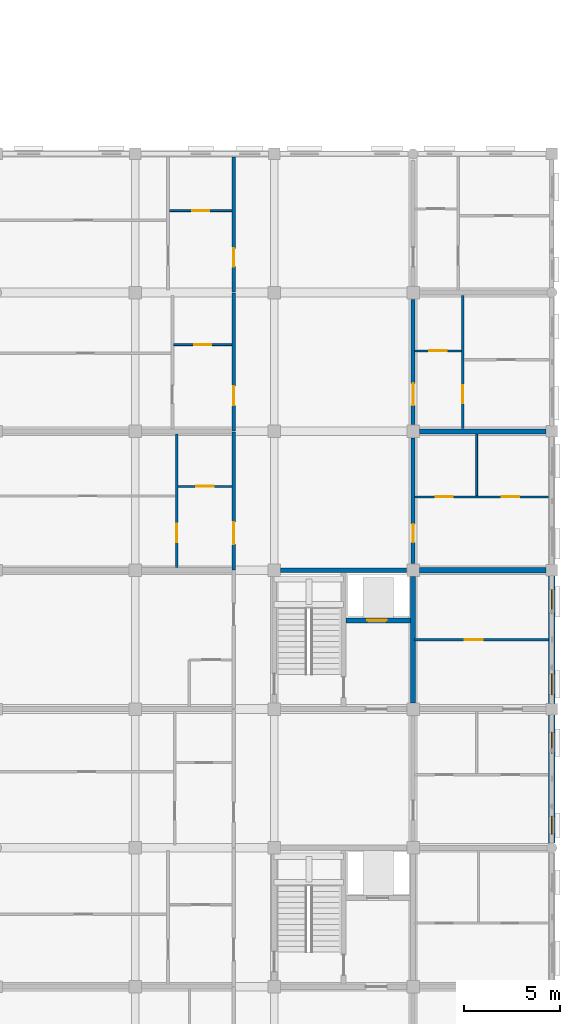
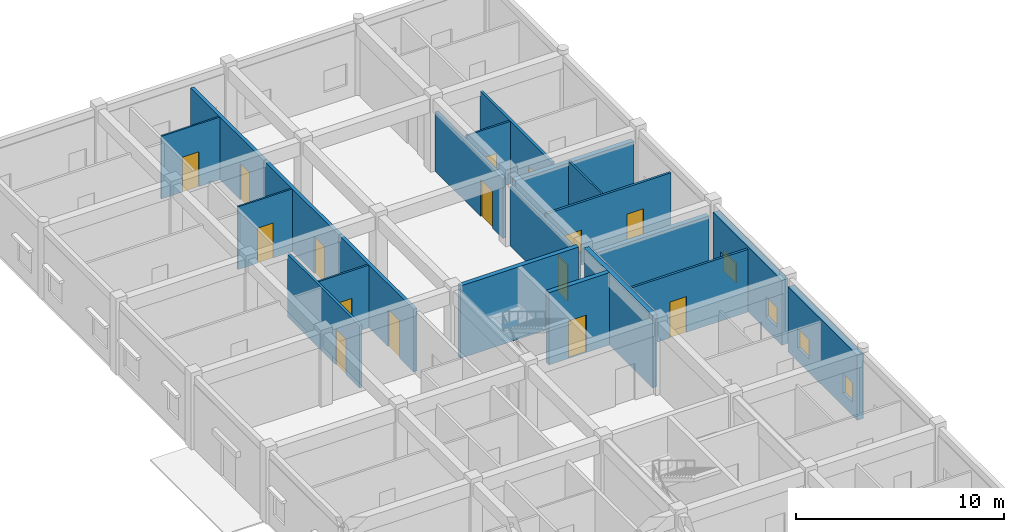
# One storey, part 113 of 138: 21 walls, 15 doors, 4 windows, 19 openings.
"""IFC4 building model written with IfcOpenShell, lengths in metres."""

from ifc_helpers import new_model, si_unit, direction, frame, frame_2d, origin, place, context, subcontext, project, spatial, rectangle, extrude, material, layer, layer_set, type_object, element, fill, save


model = new_model("IFC4")

# Units and contexts
model_context = context("Model", 3, precision=1e-05, world=origin(), true_north=direction((0.0, 1.0)))
body_context = subcontext(model_context, "Body", "Model", "MODEL_VIEW")
ifc_project = project(units=[si_unit("LENGTHUNIT", "METRE"), si_unit("AREAUNIT", "SQUARE_METRE"), si_unit("VOLUMEUNIT", "CUBIC_METRE"), si_unit("PLANEANGLEUNIT", "RADIAN"), si_unit("MASSUNIT", "GRAM", prefix="KILO"), si_unit("THERMODYNAMICTEMPERATUREUNIT", "KELVIN"), si_unit("POWERUNIT", "WATT")], contexts=[model_context])

# Site, building, storey
site_placement = place(None, origin())
site = spatial("IfcSite", under=ifc_project, at=site_placement, CompositionType="ELEMENT")
building_placement = place(site_placement, origin())
building = spatial("IfcBuilding", under=site, at=building_placement, Name="Tavuni Mirador Residences", CompositionType="ELEMENT")
storey_placement = place(building_placement, origin())
storey = spatial("IfcBuildingStorey", under=building, at=storey_placement, Name="L00", CompositionType="ELEMENT", Elevation=0.0)

# Walls
ifc_material_1 = material(Name="Precast concrete C40/50", Category="concrete")
ifc_layer_1 = layer(ifc_material_1, 0.25, Name="Precast concrete C40/50", Category="concrete")
ifc_layer_set_1 = layer_set([ifc_layer_1], Name="Precast concrete C40/50")
wall_type_1 = type_object("IfcWallType", Name="WT-COR250", PredefinedType="SHEAR", material=ifc_layer_set_1)
wall_1_placement = place(storey_placement, frame((104.72509765625, 115.199951171875, 0.0), z_axis=(0.0, 0.0, 1.0), x_axis=(1.0, 0.0, 0.0)))
element("IfcWall", 1, at=wall_1_placement, inside=storey, type_object=wall_type_1, Name="CWALL-C8-L00-N", PredefinedType="SHEAR", context=body_context, shape_type="SweptSolid", body=[
    extrude(rectangle(XDim=6.5498046875, YDim=0.25, at=frame_2d((3.27490234375, 0.0))), origin(), (0.0, 0.0, 1.0), 4.239990234375),
])
wall_2_placement = place(storey_placement, frame((111.60009765625, 108.324951171875, 0.0), z_axis=(0.0, 0.0, 1.0), x_axis=(0.0, 1.0, 0.0)))
element("IfcWall", 2, at=wall_2_placement, inside=storey, type_object=wall_type_1, Name="CWALL-C8-L00-E", PredefinedType="SHEAR", context=body_context, shape_type="SweptSolid", body=[
    extrude(rectangle(XDim=6.550048828125, YDim=0.25, at=frame_2d((3.27490234375, 0.0))), origin(), (0.0, 0.0, 1.0), 4.239990234375),
])

# Wall, opening, door
wall_3_placement = place(storey_placement, frame((108.125, 112.60009765625, 0.0), z_axis=(0.0, 0.0, 1.0), x_axis=(1.0, 0.0, 0.0)))
wall_3 = element("IfcWall", 3, at=wall_3_placement, inside=storey, type_object=wall_type_1, Name="CWALL-C8-L00-SHF", PredefinedType="SHEAR", context=body_context, shape_type="SweptSolid", body=[
    extrude(rectangle(XDim=3.35009765625, YDim=0.25, at=frame_2d((1.675048828125, 0.0))), origin(), (0.0, 0.0, 1.0), 4.239990234375),
])
opening_1_placement = place(wall_3_placement, frame((1.10009765625, 0.0, 0.0)))
opening_1 = element("IfcOpeningElement", 4, at=opening_1_placement, cuts=wall_3, Name="Opening LD-02", PredefinedType="OPENING", context=body_context, shape_type="SweptSolid", body=[
    extrude(rectangle(XDim=1.0, YDim=2.199951171875, at=frame_2d((0.5, 1.10009765625))), frame((0.0, 0.135009765625, 0.0), z_axis=(0.0, -1.0, 0.0), x_axis=(1.0, 0.0, 0.0)), (0.0, 0.0, 1.0), 0.27001953125),
])
ifc_material_2 = material(Name="Structural steel S355", Category="steel")
door_type_1 = type_object("IfcDoorType", Name="DT-LD-PAX", OperationType="SLIDING_TO_LEFT", PredefinedType="DOOR", material=ifc_material_2)
door_1_placement = place(opening_1_placement, origin())
door_1 = element("IfcDoor", 5, at=door_1_placement, inside=storey, type_object=door_type_1, Name="Lift landing door PL-D1 L00", OperationType="SLIDING_TO_LEFT", OverallHeight=2.199951171875, OverallWidth=1.0, PredefinedType="DOOR", context=body_context, shape_type="SweptSolid", body=[
    extrude(rectangle(XDim=1.0, YDim=2.199951171875, at=frame_2d((0.5, 1.10009765625))), frame((0.0, 0.02490234375, 0.0), z_axis=(0.0, -1.0, 0.0), x_axis=(1.0, 0.0, 0.0)), (0.0, 0.0, 1.0), 0.050048828125),
])
fill(opening_1, door_1)

ifc_layer_2 = layer(ifc_material_1, 0.18505859375, Name="Precast concrete C40/50", Category="concrete")
ifc_layer_set_2 = layer_set([ifc_layer_2], Name="Precast concrete C40/50")
wall_type_2 = type_object("IfcWallType", Name="WT-CORR185", PredefinedType="PARTITIONING", material=ifc_layer_set_2)
wall_4_placement = place(storey_placement, frame((102.300048828125, 115.219970703125, 0.0), z_axis=(0.0, 0.0, 1.0), x_axis=(0.0, 1.0, 0.0)))
wall_4 = element("IfcWall", 6, at=wall_4_placement, inside=storey, type_object=wall_type_2, Name="CORW-BLK-D-L00-0-04", PredefinedType="PARTITIONING", context=body_context, shape_type="SweptSolid", body=[
    extrude(rectangle(XDim=7.159912109375, YDim=0.18505859375, at=frame_2d((3.580078125, 0.0))), origin(), (0.0, 0.0, 1.0), 3.675048828125),
])
opening_2_placement = place(wall_4_placement, frame((1.330078125, 0.0, 0.0)))
opening_2 = element("IfcOpeningElement", 7, at=opening_2_placement, cuts=wall_4, Name="Opening D-20", PredefinedType="OPENING", context=body_context, shape_type="SweptSolid", body=[
    extrude(rectangle(XDim=1.139892578125, YDim=2.179931640625, at=frame_2d((0.56982421875, 1.08984375))), frame((0.0, 0.1025390625, 0.0), z_axis=(0.0, -1.0, 0.0), x_axis=(1.0, 0.0, 0.0)), (0.0, 0.0, 1.0), 0.205078125),
])
ifc_material_3 = material(Name="Solid core iroko timber", Category="wood")
door_type_2 = type_object("IfcDoorType", Name="DT-FD60-1140", OperationType="NOTDEFINED", PredefinedType="DOOR", material=ifc_material_3)
door_2_placement = place(opening_2_placement, origin())
door_2 = element("IfcDoor", 8, at=door_2_placement, inside=storey, type_object=door_type_2, Name="DR-2813", OperationType="SINGLE_SWING_RIGHT", OverallHeight=2.179931640625, OverallWidth=1.139892578125, PredefinedType="DOOR", context=body_context, shape_type="SweptSolid", body=[
    extrude(rectangle(XDim=1.139892578125, YDim=2.179931640625, at=frame_2d((0.56982421875, 1.08984375))), frame((0.0, 0.02490234375, 0.0), z_axis=(0.0, -1.0, 0.0), x_axis=(1.0, 0.0, 0.0)), (0.0, 0.0, 1.0), 0.050048828125),
])
fill(opening_2, door_2)

wall_5_placement = place(storey_placement, frame((102.300048828125, 122.419921875, 0.0), z_axis=(0.0, 0.0, 1.0), x_axis=(0.0, 1.0, 0.0)))
wall_5 = element("IfcWall", 9, at=wall_5_placement, inside=storey, type_object=wall_type_2, Name="CORW-BLK-D-L00-0-05", PredefinedType="PARTITIONING", context=body_context, shape_type="SweptSolid", body=[
    extrude(rectangle(XDim=7.16015625, YDim=0.18505859375, at=frame_2d((3.580078125, 0.0))), origin(), (0.0, 0.0, 1.0), 3.675048828125),
])
opening_3_placement = place(wall_5_placement, frame((1.330078125, 0.0, 0.0)))
opening_3 = element("IfcOpeningElement", 10, at=opening_3_placement, cuts=wall_5, Name="Opening D-03", PredefinedType="OPENING", context=body_context, shape_type="SweptSolid", body=[
    extrude(rectangle(XDim=1.0, YDim=2.14990234375, at=frame_2d((0.5, 1.074951171875))), frame((0.0, 0.1025390625, 0.0), z_axis=(0.0, -1.0, 0.0), x_axis=(1.0, 0.0, 0.0)), (0.0, 0.0, 1.0), 0.205078125),
])
door_type_3 = type_object("IfcDoorType", Name="DT-FD60-1000", OperationType="NOTDEFINED", PredefinedType="DOOR", material=ifc_material_3)
door_3_placement = place(opening_3_placement, origin())
door_3 = element("IfcDoor", 11, at=door_3_placement, inside=storey, type_object=door_type_3, Name="DR-2814", OperationType="SINGLE_SWING_LEFT", OverallHeight=2.14990234375, OverallWidth=1.0, PredefinedType="DOOR", context=body_context, shape_type="SweptSolid", body=[
    extrude(rectangle(XDim=1.0, YDim=2.14990234375, at=frame_2d((0.5, 1.074951171875))), frame((0.0, 0.02490234375, 0.0), z_axis=(0.0, -1.0, 0.0), x_axis=(1.0, 0.0, 0.0)), (0.0, 0.0, 1.0), 0.050048828125),
])
fill(opening_3, door_3)

wall_6_placement = place(storey_placement, frame((102.300048828125, 129.6201171875, 0.0), z_axis=(0.0, 0.0, 1.0), x_axis=(0.0, 1.0, 0.0)))
wall_6 = element("IfcWall", 12, at=wall_6_placement, inside=storey, type_object=wall_type_2, Name="CORW-BLK-D-L00-0-06", PredefinedType="PARTITIONING", context=body_context, shape_type="SweptSolid", body=[
    extrude(rectangle(XDim=7.0048828125, YDim=0.18505859375, at=frame_2d((3.50244140625, 0.0))), origin(), (0.0, 0.0, 1.0), 3.675048828125),
])
opening_4_placement = place(wall_6_placement, frame((1.330078125, 0.0, 0.0)))
opening_4 = element("IfcOpeningElement", 13, at=opening_4_placement, cuts=wall_6, Name="Opening D-19", PredefinedType="OPENING", context=body_context, shape_type="SweptSolid", body=[
    extrude(rectangle(XDim=0.93994140625, YDim=2.1201171875, at=frame_2d((0.469970703125, 1.06005859375))), frame((0.0, 0.1025390625, 0.0), z_axis=(0.0, -1.0, 0.0), x_axis=(1.0, 0.0, 0.0)), (0.0, 0.0, 1.0), 0.205078125),
])
door_type_4 = type_object("IfcDoorType", Name="DT-FD60-940", OperationType="NOTDEFINED", PredefinedType="DOOR", material=ifc_material_3)
door_4_placement = place(opening_4_placement, origin())
door_4 = element("IfcDoor", 14, at=door_4_placement, inside=storey, type_object=door_type_4, Name="DR-2815", OperationType="SINGLE_SWING_RIGHT", OverallHeight=2.1201171875, OverallWidth=0.93994140625, PredefinedType="DOOR", context=body_context, shape_type="SweptSolid", body=[
    extrude(rectangle(XDim=0.93994140625, YDim=2.1201171875, at=frame_2d((0.469970703125, 1.06005859375))), frame((0.0, 0.02490234375, 0.0), z_axis=(0.0, -1.0, 0.0), x_axis=(1.0, 0.0, 0.0)), (0.0, 0.0, 1.0), 0.050048828125),
])
fill(opening_4, door_4)

wall_7_placement = place(storey_placement, frame((111.60009765625, 115.550048828125, 0.0), z_axis=(0.0, 0.0, 1.0), x_axis=(0.0, 1.0, 0.0)))
wall_7 = element("IfcWall", 15, at=wall_7_placement, inside=storey, type_object=wall_type_2, Name="CORW-BLK-D-L00-1-04", PredefinedType="PARTITIONING", context=body_context, shape_type="SweptSolid", body=[
    extrude(rectangle(XDim=6.5, YDim=0.18505859375, at=frame_2d((3.25, 0.0))), origin(), (0.0, 0.0, 1.0), 3.489990234375),
])
opening_5_placement = place(wall_7_placement, frame((1.10009765625, 0.0, 0.0)))
opening_5 = element("IfcOpeningElement", 16, at=opening_5_placement, cuts=wall_7, Name="Opening D-19", PredefinedType="OPENING", context=body_context, shape_type="SweptSolid", body=[
    extrude(rectangle(XDim=0.93994140625, YDim=2.1201171875, at=frame_2d((0.469970703125, 1.06005859375))), frame((0.0, 0.1025390625, 0.0), z_axis=(0.0, -1.0, 0.0), x_axis=(1.0, 0.0, 0.0)), (0.0, 0.0, 1.0), 0.205078125),
])
door_5_placement = place(opening_5_placement, origin())
door_5 = element("IfcDoor", 17, at=door_5_placement, inside=storey, type_object=door_type_4, Name="DR-2818", OperationType="SINGLE_SWING_LEFT", OverallHeight=2.1201171875, OverallWidth=0.93994140625, PredefinedType="DOOR", context=body_context, shape_type="SweptSolid", body=[
    extrude(rectangle(XDim=0.93994140625, YDim=2.1201171875, at=frame_2d((0.469970703125, 1.06005859375))), frame((0.0, 0.02490234375, 0.0), z_axis=(0.0, -1.0, 0.0), x_axis=(1.0, 0.0, 0.0)), (0.0, 0.0, 1.0), 0.050048828125),
])
fill(opening_5, door_5)

wall_8_placement = place(storey_placement, frame((111.60009765625, 122.75, 0.0), z_axis=(0.0, 0.0, 1.0), x_axis=(0.0, 1.0, 0.0)))
wall_8 = element("IfcWall", 18, at=wall_8_placement, inside=storey, type_object=wall_type_2, Name="CORW-BLK-D-L00-1-05", PredefinedType="PARTITIONING", context=body_context, shape_type="SweptSolid", body=[
    extrude(rectangle(XDim=6.5, YDim=0.18505859375, at=frame_2d((3.25, 0.0))), origin(), (0.0, 0.0, 1.0), 3.489990234375),
])
opening_6_placement = place(wall_8_placement, frame((1.0, 0.0, 0.0)))
opening_6 = element("IfcOpeningElement", 19, at=opening_6_placement, cuts=wall_8, Name="Opening D-20", PredefinedType="OPENING", context=body_context, shape_type="SweptSolid", body=[
    extrude(rectangle(XDim=1.139892578125, YDim=2.179931640625, at=frame_2d((0.56982421875, 1.08984375))), frame((0.0, 0.1025390625, 0.0), z_axis=(0.0, -1.0, 0.0), x_axis=(1.0, 0.0, 0.0)), (0.0, 0.0, 1.0), 0.205078125),
])
door_6_placement = place(opening_6_placement, origin())
door_6 = element("IfcDoor", 20, at=door_6_placement, inside=storey, type_object=door_type_2, Name="DR-2819", OperationType="SINGLE_SWING_RIGHT", OverallHeight=2.179931640625, OverallWidth=1.139892578125, PredefinedType="DOOR", context=body_context, shape_type="SweptSolid", body=[
    extrude(rectangle(XDim=1.139892578125, YDim=2.179931640625, at=frame_2d((0.56982421875, 1.08984375))), frame((0.0, 0.02490234375, 0.0), z_axis=(0.0, -1.0, 0.0), x_axis=(1.0, 0.0, 0.0)), (0.0, 0.0, 1.0), 0.050048828125),
])
fill(opening_6, door_6)

# Wall, openings, windows
ifc_material_4 = material(Name="Sgraffito lime-rendered precast concrete C40/50", Category="concrete")
ifc_layer_3 = layer(ifc_material_4, 0.344970703125, Name="Sgraffito lime-rendered precast concrete C40/50", Category="concrete")
ifc_layer_set_3 = layer_set([ifc_layer_3], Name="Sgraffito lime-rendered precast concrete C40/50")
wall_type_3 = type_object("IfcWallType", Name="WT-EXT-PTY345", PredefinedType="SOLIDWALL", material=ifc_layer_set_3)
wall_9_placement = place(storey_placement, frame((118.800048828125, 101.06005859375, 0.0), z_axis=(0.0, 0.0, 1.0), x_axis=(0.0, 1.0, 0.0)))
wall_9 = element("IfcWall", 21, at=wall_9_placement, inside=storey, type_object=wall_type_3, Name="EW-BLK-D-L00-E02", PredefinedType="SOLIDWALL", context=body_context, shape_type="SweptSolid", body=[
    extrude(rectangle(XDim=6.639892578125, YDim=0.344970703125, at=frame_2d((3.31982421875, 0.0))), origin(), (0.0, 0.0, 1.0), 3.81005859375),
])
opening_7_placement = place(wall_9_placement, frame((0.449951171875, 0.0, 0.780029296875)))
opening_7 = element("IfcOpeningElement", 22, at=opening_7_placement, cuts=wall_9, Name="Opening WN-02", PredefinedType="OPENING", context=body_context, shape_type="SweptSolid", body=[
    extrude(rectangle(XDim=0.919921875, YDim=1.14990234375, at=frame_2d((0.4599609375, 0.574951171875))), frame((0.0, 0.1826171875, 0.0), z_axis=(0.0, -1.0, 0.0), x_axis=(1.0, 0.0, 0.0)), (0.0, 0.0, 1.0), 0.364990234375),
])
opening_8_placement = place(wall_9_placement, frame((4.64990234375, 0.0, 0.780029296875)))
opening_8 = element("IfcOpeningElement", 23, at=opening_8_placement, cuts=wall_9, Name="Opening WN-04", PredefinedType="OPENING", context=body_context, shape_type="SweptSolid", body=[
    extrude(rectangle(XDim=1.080078125, YDim=1.14990234375, at=frame_2d((0.5400390625, 0.574951171875))), frame((0.0, 0.1826171875, 0.0), z_axis=(0.0, -1.0, 0.0), x_axis=(1.0, 0.0, 0.0)), (0.0, 0.0, 1.0), 0.364990234375),
])
ifc_material_5 = material(Name="Laminated solar-control glass", Category="glass")
window_type_1 = type_object("IfcWindowType", Name="WNT-02", PartitioningType="SINGLE_PANEL", PredefinedType="WINDOW", material=ifc_material_5)
window_1_placement = place(opening_7_placement, origin())
window_1 = element("IfcWindow", 24, at=window_1_placement, inside=storey, type_object=window_type_1, Name="WIN-1411", OverallHeight=1.14990234375, OverallWidth=0.919921875, PartitioningType="SINGLE_PANEL", PredefinedType="WINDOW", context=body_context, shape_type="SweptSolid", body=[
    extrude(rectangle(XDim=0.919921875, YDim=1.14990234375, at=frame_2d((0.4599609375, 0.574951171875))), frame((0.0, 0.030029296875, 0.0), z_axis=(0.0, -1.0, 0.0), x_axis=(1.0, 0.0, 0.0)), (0.0, 0.0, 1.0), 0.06005859375),
])
fill(opening_7, window_1)
window_type_2 = type_object("IfcWindowType", Name="WNT-04", PartitioningType="SINGLE_PANEL", PredefinedType="WINDOW", material=ifc_material_5)
window_2_placement = place(opening_8_placement, origin())
window_2 = element("IfcWindow", 25, at=window_2_placement, inside=storey, type_object=window_type_2, Name="WIN-1412", OverallHeight=1.14990234375, OverallWidth=1.080078125, PartitioningType="SINGLE_PANEL", PredefinedType="WINDOW", context=body_context, shape_type="SweptSolid", body=[
    extrude(rectangle(XDim=1.080078125, YDim=1.14990234375, at=frame_2d((0.5400390625, 0.574951171875))), frame((0.0, 0.030029296875, 0.0), z_axis=(0.0, -1.0, 0.0), x_axis=(1.0, 0.0, 0.0)), (0.0, 0.0, 1.0), 0.06005859375),
])
fill(opening_8, window_2)

wall_10_placement = place(storey_placement, frame((118.800048828125, 108.300048828125, 0.0), z_axis=(0.0, 0.0, 1.0), x_axis=(0.0, 1.0, 0.0)))
wall_10 = element("IfcWall", 26, at=wall_10_placement, inside=storey, type_object=wall_type_3, Name="EW-BLK-D-L00-E03", PredefinedType="SOLIDWALL", context=body_context, shape_type="SweptSolid", body=[
    extrude(rectangle(XDim=6.599853515625, YDim=0.344970703125, at=frame_2d((3.2998046875, 0.0))), origin(), (0.0, 0.0, 1.0), 3.81005859375),
])
opening_9_placement = place(wall_10_placement, frame((0.449951171875, 0.0, 0.780029296875)))
opening_9 = element("IfcOpeningElement", 27, at=opening_9_placement, cuts=wall_10, Name="Opening WN-04", PredefinedType="OPENING", context=body_context, shape_type="SweptSolid", body=[
    extrude(rectangle(XDim=1.080078125, YDim=1.14990234375, at=frame_2d((0.5400390625, 0.574951171875))), frame((0.0, 0.1826171875, 0.0), z_axis=(0.0, -1.0, 0.0), x_axis=(1.0, 0.0, 0.0)), (0.0, 0.0, 1.0), 0.364990234375),
])
opening_10_placement = place(wall_10_placement, frame((4.64990234375, 0.0, 0.780029296875)))
opening_10 = element("IfcOpeningElement", 28, at=opening_10_placement, cuts=wall_10, Name="Opening WN-06", PredefinedType="OPENING", context=body_context, shape_type="SweptSolid", body=[
    extrude(rectangle(XDim=1.239990234375, YDim=1.14990234375, at=frame_2d((0.6201171875, 0.574951171875))), frame((0.0, 0.1826171875, 0.0), z_axis=(0.0, -1.0, 0.0), x_axis=(1.0, 0.0, 0.0)), (0.0, 0.0, 1.0), 0.364990234375),
])
window_3_placement = place(opening_9_placement, origin())
window_3 = element("IfcWindow", 29, at=window_3_placement, inside=storey, type_object=window_type_2, Name="WIN-1413", OverallHeight=1.14990234375, OverallWidth=1.080078125, PartitioningType="SINGLE_PANEL", PredefinedType="WINDOW", context=body_context, shape_type="SweptSolid", body=[
    extrude(rectangle(XDim=1.080078125, YDim=1.14990234375, at=frame_2d((0.5400390625, 0.574951171875))), frame((0.0, 0.030029296875, 0.0), z_axis=(0.0, -1.0, 0.0), x_axis=(1.0, 0.0, 0.0)), (0.0, 0.0, 1.0), 0.06005859375),
])
fill(opening_9, window_3)
window_type_3 = type_object("IfcWindowType", Name="WNT-06", PartitioningType="SINGLE_PANEL", PredefinedType="WINDOW", material=ifc_material_5)
window_4_placement = place(opening_10_placement, origin())
window_4 = element("IfcWindow", 30, at=window_4_placement, inside=storey, type_object=window_type_3, Name="WIN-1414", OverallHeight=1.14990234375, OverallWidth=1.239990234375, PartitioningType="SINGLE_PANEL", PredefinedType="WINDOW", context=body_context, shape_type="SweptSolid", body=[
    extrude(rectangle(XDim=1.239990234375, YDim=1.14990234375, at=frame_2d((0.6201171875, 0.574951171875))), frame((0.0, 0.030029296875, 0.0), z_axis=(0.0, -1.0, 0.0), x_axis=(1.0, 0.0, 0.0)), (0.0, 0.0, 1.0), 0.06005859375),
])
fill(opening_10, window_4)

# Wall
ifc_material_6 = material(Name="Acoustic gypsum and concrete block partition", Category="concrete")
ifc_layer_4 = layer(ifc_material_6, 0.094970703125, Name="Acoustic gypsum and concrete block partition", Category="concrete")
ifc_layer_set_4 = layer_set([ifc_layer_4], Name="Acoustic gypsum and concrete block partition")
wall_type_4 = type_object("IfcWallType", Name="WT-PART095", PredefinedType="PARTITIONING", material=ifc_layer_set_4)
wall_11_placement = place(storey_placement, frame((114.89990234375, 119.070068359375, 0.0), z_axis=(0.0, 0.0, 1.0), x_axis=(0.0, 1.0, 0.0)))
element("IfcWall", 31, at=wall_11_placement, inside=storey, type_object=wall_type_4, Name="PW-BLK-D-L00-PF04-V", PredefinedType="PARTITIONING", context=body_context, shape_type="SweptSolid", body=[
    extrude(rectangle(XDim=3.18994140625, YDim=0.094970703125, at=frame_2d((1.594970703125, 0.0))), origin(), (0.0, 0.0, 1.0), 3.675048828125),
])

# Wall, opening, door
wall_12_placement = place(storey_placement, frame((99.18994140625, 126.89990234375, 0.0), z_axis=(0.0, 0.0, 1.0), x_axis=(1.0, 0.0, 0.0)))
wall_12 = element("IfcWall", 32, at=wall_12_placement, inside=storey, type_object=wall_type_4, Name="PW-BLK-D-L00-W05-IN1", PredefinedType="PARTITIONING", context=body_context, shape_type="SweptSolid", body=[
    extrude(rectangle(XDim=3.02001953125, YDim=0.094970703125, at=frame_2d((1.510009765625, 0.0))), origin(), (0.0, 0.0, 1.0), 3.675048828125),
])
opening_11_placement = place(wall_12_placement, frame((1.074951171875, 0.0, 0.0)))
opening_11 = element("IfcOpeningElement", 33, at=opening_11_placement, cuts=wall_12, Name="Opening D-10", PredefinedType="OPENING", context=body_context, shape_type="SweptSolid", body=[
    extrude(rectangle(XDim=0.8701171875, YDim=2.050048828125, at=frame_2d((0.43505859375, 1.02490234375))), frame((0.0, 0.0576171875, 0.0), z_axis=(0.0, -1.0, 0.0), x_axis=(1.0, 0.0, 0.0)), (0.0, 0.0, 1.0), 0.114990234375),
])
door_type_5 = type_object("IfcDoorType", Name="DT-WC870", OperationType="NOTDEFINED", PredefinedType="DOOR", material=ifc_material_3)
door_7_placement = place(opening_11_placement, origin())
door_7 = element("IfcDoor", 34, at=door_7_placement, inside=storey, type_object=door_type_5, Name="DR-4302", OperationType="SINGLE_SWING_LEFT", OverallHeight=2.050048828125, OverallWidth=0.8701171875, PredefinedType="DOOR", context=body_context, shape_type="SweptSolid", body=[
    extrude(rectangle(XDim=0.8701171875, YDim=2.050048828125, at=frame_2d((0.43505859375, 1.02490234375))), frame((0.0, 0.02490234375, 0.0), z_axis=(0.0, -1.0, 0.0), x_axis=(1.0, 0.0, 0.0)), (0.0, 0.0, 1.0), 0.050048828125),
])
fill(opening_11, door_7)

wall_13_placement = place(storey_placement, frame((98.969970703125, 133.85009765625, 0.0), z_axis=(0.0, 0.0, 1.0), x_axis=(1.0, 0.0, 0.0)))
wall_13 = element("IfcWall", 35, at=wall_13_placement, inside=storey, type_object=wall_type_4, Name="PW-BLK-D-L00-W06-IN1", PredefinedType="PARTITIONING", context=body_context, shape_type="SweptSolid", body=[
    extrude(rectangle(XDim=3.239990234375, YDim=0.094970703125, at=frame_2d((1.6201171875, 0.0))), origin(), (0.0, 0.0, 1.0), 3.675048828125),
])
opening_12_placement = place(wall_13_placement, frame((1.169921875, 0.0, 0.0)))
opening_12 = element("IfcOpeningElement", 36, at=opening_12_placement, cuts=wall_13, Name="Opening D-09", PredefinedType="OPENING", context=body_context, shape_type="SweptSolid", body=[
    extrude(rectangle(XDim=0.89990234375, YDim=2.050048828125, at=frame_2d((0.449951171875, 1.02490234375))), frame((0.0, 0.0576171875, 0.0), z_axis=(0.0, -1.0, 0.0), x_axis=(1.0, 0.0, 0.0)), (0.0, 0.0, 1.0), 0.114990234375),
])
door_type_6 = type_object("IfcDoorType", Name="DT-WC900", OperationType="NOTDEFINED", PredefinedType="DOOR", material=ifc_material_3)
door_8_placement = place(opening_12_placement, origin())
door_8 = element("IfcDoor", 37, at=door_8_placement, inside=storey, type_object=door_type_6, Name="DR-4308", OperationType="SINGLE_SWING_RIGHT", OverallHeight=2.050048828125, OverallWidth=0.89990234375, PredefinedType="DOOR", context=body_context, shape_type="SweptSolid", body=[
    extrude(rectangle(XDim=0.89990234375, YDim=2.050048828125, at=frame_2d((0.449951171875, 1.02490234375))), frame((0.0, 0.02490234375, 0.0), z_axis=(0.0, -1.0, 0.0), x_axis=(1.0, 0.0, 0.0)), (0.0, 0.0, 1.0), 0.050048828125),
])
fill(opening_12, door_8)

ifc_layer_5 = layer(ifc_material_6, 0.10498046875, Name="Acoustic gypsum and concrete block partition", Category="concrete")
ifc_layer_set_5 = layer_set([ifc_layer_5], Name="Acoustic gypsum and concrete block partition")
wall_type_5 = type_object("IfcWallType", Name="WT-PART105", PredefinedType="PARTITIONING", material=ifc_layer_set_5)
wall_14_placement = place(storey_placement, frame((99.419921875, 119.550048828125, 0.0), z_axis=(0.0, 0.0, 1.0), x_axis=(1.0, 0.0, 0.0)))
wall_14 = element("IfcWall", 38, at=wall_14_placement, inside=storey, type_object=wall_type_5, Name="PW-BLK-D-L00-W04-IN1", PredefinedType="PARTITIONING", context=body_context, shape_type="SweptSolid", body=[
    extrude(rectangle(XDim=2.7900390625, YDim=0.10498046875, at=frame_2d((1.39501953125, 0.0))), origin(), (0.0, 0.0, 1.0), 3.675048828125),
])
opening_13_placement = place(wall_14_placement, frame((0.945068359375, 0.0, 0.0)))
opening_13 = element("IfcOpeningElement", 39, at=opening_13_placement, cuts=wall_14, Name="Opening D-09", PredefinedType="OPENING", context=body_context, shape_type="SweptSolid", body=[
    extrude(rectangle(XDim=0.89990234375, YDim=2.050048828125, at=frame_2d((0.449951171875, 1.02490234375))), frame((0.0, 0.0625, 0.0), z_axis=(0.0, -1.0, 0.0), x_axis=(1.0, 0.0, 0.0)), (0.0, 0.0, 1.0), 0.125),
])
door_9_placement = place(opening_13_placement, origin())
door_9 = element("IfcDoor", 40, at=door_9_placement, inside=storey, type_object=door_type_6, Name="DR-4297", OperationType="SINGLE_SWING_RIGHT", OverallHeight=2.050048828125, OverallWidth=0.89990234375, PredefinedType="DOOR", context=body_context, shape_type="SweptSolid", body=[
    extrude(rectangle(XDim=0.89990234375, YDim=2.050048828125, at=frame_2d((0.449951171875, 1.02490234375))), frame((0.0, 0.02490234375, 0.0), z_axis=(0.0, -1.0, 0.0), x_axis=(1.0, 0.0, 0.0)), (0.0, 0.0, 1.0), 0.050048828125),
])
fill(opening_13, door_9)

wall_15_placement = place(storey_placement, frame((111.68994140625, 126.580078125, 0.0), z_axis=(0.0, 0.0, 1.0), x_axis=(1.0, 0.0, 0.0)))
wall_15 = element("IfcWall", 41, at=wall_15_placement, inside=storey, type_object=wall_type_5, Name="PW-BLK-D-L00-E05-IN1", PredefinedType="PARTITIONING", context=body_context, shape_type="SweptSolid", body=[
    extrude(rectangle(XDim=2.420166015625, YDim=0.10498046875, at=frame_2d((1.2099609375, 0.0))), origin(), (0.0, 0.0, 1.0), 3.675048828125),
])
opening_14_placement = place(wall_15_placement, frame((0.760009765625, 0.0, 0.0)))
opening_14 = element("IfcOpeningElement", 42, at=opening_14_placement, cuts=wall_15, Name="Opening D-09", PredefinedType="OPENING", context=body_context, shape_type="SweptSolid", body=[
    extrude(rectangle(XDim=0.89990234375, YDim=2.050048828125, at=frame_2d((0.449951171875, 1.02490234375))), frame((0.0, 0.0625, 0.0), z_axis=(0.0, -1.0, 0.0), x_axis=(1.0, 0.0, 0.0)), (0.0, 0.0, 1.0), 0.125),
])
door_10_placement = place(opening_14_placement, origin())
door_10 = element("IfcDoor", 43, at=door_10_placement, inside=storey, type_object=door_type_6, Name="DR-4305", OperationType="SINGLE_SWING_RIGHT", OverallHeight=2.050048828125, OverallWidth=0.89990234375, PredefinedType="DOOR", context=body_context, shape_type="SweptSolid", body=[
    extrude(rectangle(XDim=0.89990234375, YDim=2.050048828125, at=frame_2d((0.449951171875, 1.02490234375))), frame((0.0, 0.02490234375, 0.0), z_axis=(0.0, -1.0, 0.0), x_axis=(1.0, 0.0, 0.0)), (0.0, 0.0, 1.0), 0.050048828125),
])
fill(opening_14, door_10)

ifc_layer_6 = layer(ifc_material_6, 0.125, Name="Acoustic gypsum and concrete block partition", Category="concrete")
ifc_layer_set_6 = layer_set([ifc_layer_6], Name="Acoustic gypsum and concrete block partition")
wall_type_6 = type_object("IfcWallType", Name="WT-PART125", PredefinedType="PARTITIONING", material=ifc_layer_set_6)
wall_16_placement = place(storey_placement, frame((111.68994140625, 111.60009765625, 0.0), z_axis=(0.0, 0.0, 1.0), x_axis=(1.0, 0.0, 0.0)))
wall_16 = element("IfcWall", 44, at=wall_16_placement, inside=storey, type_object=wall_type_6, Name="PW-BLK-D-L00-PF03-H", PredefinedType="PARTITIONING", context=body_context, shape_type="SweptSolid", body=[
    extrude(rectangle(XDim=6.93505859375, YDim=0.125, at=frame_2d((3.467529296875, 0.0))), origin(), (0.0, 0.0, 1.0), 3.675048828125),
])
opening_15_placement = place(wall_16_placement, frame((2.60009765625, 0.0, 0.0)))
opening_15 = element("IfcOpeningElement", 45, at=opening_15_placement, cuts=wall_16, Name="Opening D-06", PredefinedType="OPENING", context=body_context, shape_type="SweptSolid", body=[
    extrude(rectangle(XDim=0.919921875, YDim=2.10009765625, at=frame_2d((0.4599609375, 1.050048828125))), frame((0.0, 0.072509765625, 0.0), z_axis=(0.0, -1.0, 0.0), x_axis=(1.0, 0.0, 0.0)), (0.0, 0.0, 1.0), 0.14501953125),
])
door_type_7 = type_object("IfcDoorType", Name="DT-INT920", OperationType="NOTDEFINED", PredefinedType="DOOR", material=ifc_material_3)
door_11_placement = place(opening_15_placement, origin())
door_11 = element("IfcDoor", 46, at=door_11_placement, inside=storey, type_object=door_type_7, Name="DR-4295", OperationType="SINGLE_SWING_RIGHT", OverallHeight=2.10009765625, OverallWidth=0.919921875, PredefinedType="DOOR", context=body_context, shape_type="SweptSolid", body=[
    extrude(rectangle(XDim=0.919921875, YDim=2.10009765625, at=frame_2d((0.4599609375, 1.050048828125))), frame((0.0, 0.02490234375, 0.0), z_axis=(0.0, -1.0, 0.0), x_axis=(1.0, 0.0, 0.0)), (0.0, 0.0, 1.0), 0.050048828125),
])
fill(opening_15, door_11)

# Wall, openings, doors
wall_17_placement = place(storey_placement, frame((111.68994140625, 119.0, 0.0), z_axis=(0.0, 0.0, 1.0), x_axis=(1.0, 0.0, 0.0)))
wall_17 = element("IfcWall", 47, at=wall_17_placement, inside=storey, type_object=wall_type_6, Name="PW-BLK-D-L00-PF04-H", PredefinedType="PARTITIONING", context=body_context, shape_type="SweptSolid", body=[
    extrude(rectangle(XDim=6.93505859375, YDim=0.125, at=frame_2d((3.467529296875, 0.0))), origin(), (0.0, 0.0, 1.0), 3.675048828125),
])
opening_16_placement = place(wall_17_placement, frame((1.10009765625, 0.0, 0.0)))
opening_16 = element("IfcOpeningElement", 48, at=opening_16_placement, cuts=wall_17, Name="Opening D-10", PredefinedType="OPENING", context=body_context, shape_type="SweptSolid", body=[
    extrude(rectangle(XDim=0.8701171875, YDim=2.050048828125, at=frame_2d((0.43505859375, 1.02490234375))), frame((0.0, 0.072509765625, 0.0), z_axis=(0.0, -1.0, 0.0), x_axis=(1.0, 0.0, 0.0)), (0.0, 0.0, 1.0), 0.14501953125),
])
opening_17_placement = place(wall_17_placement, frame((4.5, 0.0, 0.0)))
opening_17 = element("IfcOpeningElement", 49, at=opening_17_placement, cuts=wall_17, Name="Opening D-06", PredefinedType="OPENING", context=body_context, shape_type="SweptSolid", body=[
    extrude(rectangle(XDim=0.919921875, YDim=2.10009765625, at=frame_2d((0.4599609375, 1.050048828125))), frame((0.0, 0.072509765625, 0.0), z_axis=(0.0, -1.0, 0.0), x_axis=(1.0, 0.0, 0.0)), (0.0, 0.0, 1.0), 0.14501953125),
])
door_12_placement = place(opening_17_placement, origin())
door_12 = element("IfcDoor", 50, at=door_12_placement, inside=storey, type_object=door_type_7, Name="DR-4300", OperationType="SINGLE_SWING_RIGHT", OverallHeight=2.10009765625, OverallWidth=0.919921875, PredefinedType="DOOR", context=body_context, shape_type="SweptSolid", body=[
    extrude(rectangle(XDim=0.919921875, YDim=2.10009765625, at=frame_2d((0.4599609375, 1.050048828125))), frame((0.0, 0.02490234375, 0.0), z_axis=(0.0, -1.0, 0.0), x_axis=(1.0, 0.0, 0.0)), (0.0, 0.0, 1.0), 0.050048828125),
])
fill(opening_17, door_12)
door_13_placement = place(opening_16_placement, origin())
door_13 = element("IfcDoor", 51, at=door_13_placement, inside=storey, type_object=door_type_5, Name="DR-4299", OperationType="SINGLE_SWING_LEFT", OverallHeight=2.050048828125, OverallWidth=0.8701171875, PredefinedType="DOOR", context=body_context, shape_type="SweptSolid", body=[
    extrude(rectangle(XDim=0.8701171875, YDim=2.050048828125, at=frame_2d((0.43505859375, 1.02490234375))), frame((0.0, 0.02490234375, 0.0), z_axis=(0.0, -1.0, 0.0), x_axis=(1.0, 0.0, 0.0)), (0.0, 0.0, 1.0), 0.050048828125),
])
fill(opening_16, door_13)

# Wall, opening, door
ifc_layer_7 = layer(ifc_material_6, 0.139892578125, Name="Acoustic gypsum and concrete block partition", Category="concrete")
ifc_layer_set_7 = layer_set([ifc_layer_7], Name="Acoustic gypsum and concrete block partition")
wall_type_7 = type_object("IfcWallType", Name="WT-PART140", PredefinedType="PARTITIONING", material=ifc_layer_set_7)
wall_18_placement = place(storey_placement, frame((99.35009765625, 115.340087890625, 0.0), z_axis=(0.0, 0.0, 1.0), x_axis=(0.0, 1.0, 0.0)))
wall_18 = element("IfcWall", 52, at=wall_18_placement, inside=storey, type_object=wall_type_7, Name="PW-BLK-D-L00-W04-MID", PredefinedType="PARTITIONING", context=body_context, shape_type="SweptSolid", body=[
    extrude(rectangle(XDim=6.919921875, YDim=0.139892578125, at=frame_2d((3.4599609375, 0.0))), origin(), (0.0, 0.0, 1.0), 3.675048828125),
])
opening_18_placement = place(wall_18_placement, frame((1.31005859375, 0.0, 0.0)))
opening_18 = element("IfcOpeningElement", 53, at=opening_18_placement, cuts=wall_18, Name="Opening D-05", PredefinedType="OPENING", context=body_context, shape_type="SweptSolid", body=[
    extrude(rectangle(XDim=0.949951171875, YDim=2.10009765625, at=frame_2d((0.47509765625, 1.050048828125))), frame((0.0, 0.080078125, 0.0), z_axis=(0.0, -1.0, 0.0), x_axis=(1.0, 0.0, 0.0)), (0.0, 0.0, 1.0), 0.159912109375),
])
door_type_8 = type_object("IfcDoorType", Name="DT-INT950", OperationType="NOTDEFINED", PredefinedType="DOOR", material=ifc_material_3)
door_14_placement = place(opening_18_placement, origin())
door_14 = element("IfcDoor", 54, at=door_14_placement, inside=storey, type_object=door_type_8, Name="DR-4298", OperationType="SINGLE_SWING_LEFT", OverallHeight=2.10009765625, OverallWidth=0.949951171875, PredefinedType="DOOR", context=body_context, shape_type="SweptSolid", body=[
    extrude(rectangle(XDim=0.949951171875, YDim=2.10009765625, at=frame_2d((0.47509765625, 1.050048828125))), frame((0.0, 0.02490234375, 0.0), z_axis=(0.0, -1.0, 0.0), x_axis=(1.0, 0.0, 0.0)), (0.0, 0.0, 1.0), 0.050048828125),
])
fill(opening_18, door_14)

wall_19_placement = place(storey_placement, frame((114.179931640625, 122.5400390625, 0.0), z_axis=(0.0, 0.0, 1.0), x_axis=(0.0, 1.0, 0.0)))
wall_19 = element("IfcWall", 55, at=wall_19_placement, inside=storey, type_object=wall_type_7, Name="PW-BLK-D-L00-E05-MID", PredefinedType="PARTITIONING", context=body_context, shape_type="SweptSolid", body=[
    extrude(rectangle(XDim=6.919921875, YDim=0.139892578125, at=frame_2d((3.4599609375, 0.0))), origin(), (0.0, 0.0, 1.0), 3.675048828125),
])
opening_19_placement = place(wall_19_placement, frame((1.31005859375, 0.0, 0.0)))
opening_19 = element("IfcOpeningElement", 56, at=opening_19_placement, cuts=wall_19, Name="Opening D-05", PredefinedType="OPENING", context=body_context, shape_type="SweptSolid", body=[
    extrude(rectangle(XDim=0.949951171875, YDim=2.10009765625, at=frame_2d((0.47509765625, 1.050048828125))), frame((0.0, 0.080078125, 0.0), z_axis=(0.0, -1.0, 0.0), x_axis=(1.0, 0.0, 0.0)), (0.0, 0.0, 1.0), 0.159912109375),
])
door_15_placement = place(opening_19_placement, origin())
door_15 = element("IfcDoor", 57, at=door_15_placement, inside=storey, type_object=door_type_8, Name="DR-4306", OperationType="SINGLE_SWING_LEFT", OverallHeight=2.10009765625, OverallWidth=0.949951171875, PredefinedType="DOOR", context=body_context, shape_type="SweptSolid", body=[
    extrude(rectangle(XDim=0.949951171875, YDim=2.10009765625, at=frame_2d((0.47509765625, 1.050048828125))), frame((0.0, 0.02490234375, 0.0), z_axis=(0.0, -1.0, 0.0), x_axis=(1.0, 0.0, 0.0)), (0.0, 0.0, 1.0), 0.050048828125),
])
fill(opening_19, door_15)

# Walls
ifc_layer_8 = layer(ifc_material_1, 0.264892578125, Name="Precast concrete C40/50", Category="concrete")
ifc_layer_set_8 = layer_set([ifc_layer_8], Name="Precast concrete C40/50")
wall_type_8 = type_object("IfcWallType", Name="WT-XW265", PredefinedType="SOLIDWALL", material=ifc_layer_set_8)
for number, where, z_axis, x_axis, name in (
    (58, (111.925048828125, 115.199951171875, 0.0), (0.0, 0.0, 1.0), (1.0, 0.0, 0.0), "XW-BLK-D-L00-E-04"),
    (59, (111.925048828125, 122.39990234375, 0.0), (0.0, 0.0, 1.0), (1.0, 0.0, 0.0), "XW-BLK-D-L00-E-05"),
):
    element("IfcWall", number, at=place(storey_placement, frame(where, z_axis=z_axis, x_axis=x_axis)), inside=storey, type_object=wall_type_8, Name=name, PredefinedType="SOLIDWALL", context=body_context, shape_type="SweptSolid", body=[
        extrude(rectangle(XDim=6.574951171875, YDim=0.264892578125, at=frame_2d((3.28759765625, 0.0))), origin(), (0.0, 0.0, 1.0), 3.5400390625),
    ])

save(model, "model.ifc")
